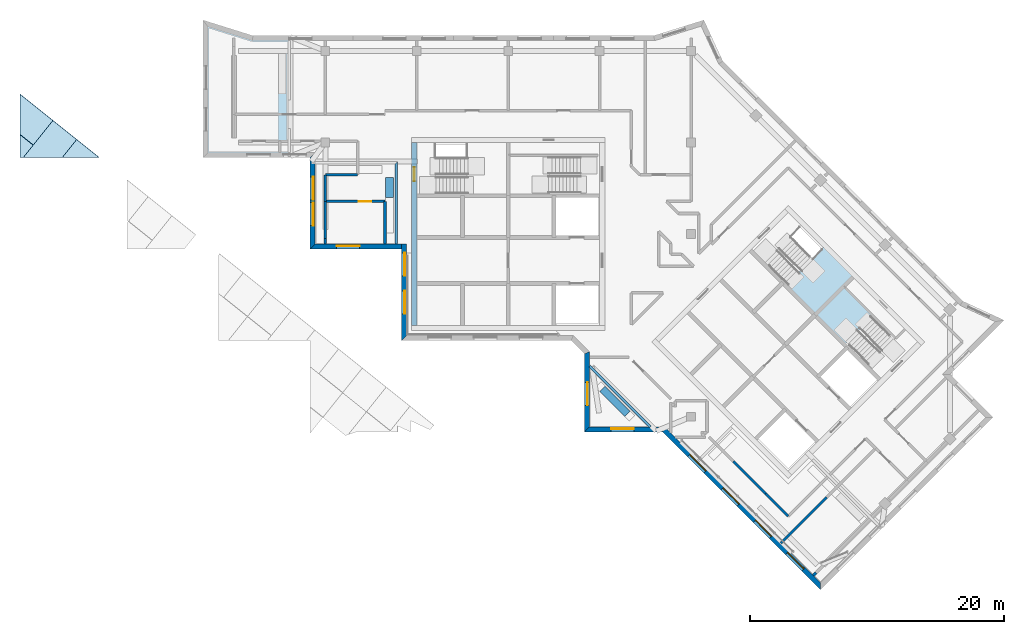
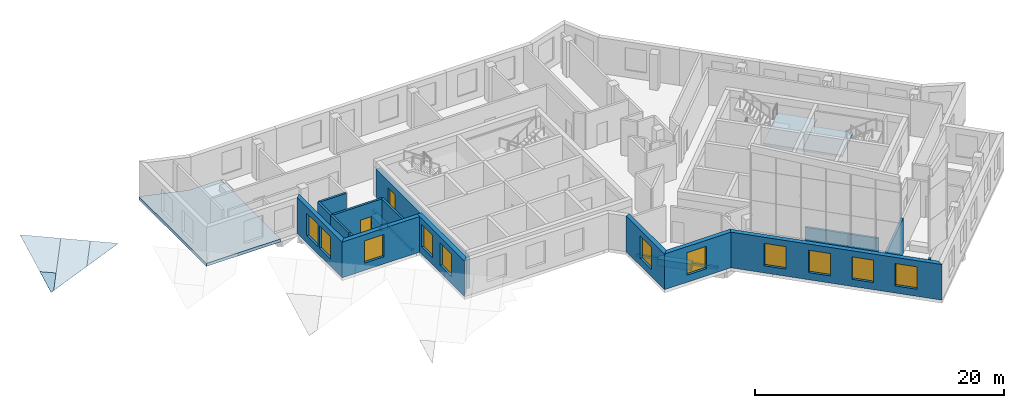
# One storey, part 6 of 13: 21 walls, 11 windows, 4 plates, 3 slabs, 2 doors, 13 openings, 2 elements without a shape of their own.
"""IFC4 building model written with IfcOpenShell, lengths in metres."""

import ifcopenshell
import ifcopenshell.guid

model = None  # the IFC model being written
_history = None  # IfcOwnerHistory: only IFC2X3 demands one
_inside = {}  # id of a spatial element -> (the spatial element, [elements in it])
_under = {}  # id of a project, library or spatial element -> (it, [spatial elements below it])
_declared = {}  # id of a project -> (the project, [libraries it declares])
_typed = {}  # id of a type object -> (the type object, [elements of that type])
_made_of = {}  # id of a material, layer set ... -> (it, [elements and type objects made of it])


def new_model(schema):
    """Start an empty IFC model of exactly this schema.

    Asked for "IFC4X3", IfcOpenShell would pick the latest addendum, in which some entities
    have other attributes; the version numbers below select the first issue.
    IFC2X3 requires an IfcOwnerHistory on every rooted entity: one is made here for all.
    """
    global model, _history
    if schema == "IFC4X3":
        model = ifcopenshell.file(schema_version=(4, 3, 0, 0))
    else:
        model = ifcopenshell.file(schema=schema)
    _inside.clear()
    _under.clear()
    _declared.clear()
    _typed.clear()
    _made_of.clear()
    _history = None
    if model.schema == "IFC2X3":
        org = make("IfcOrganization", Name="unknown")
        user = make(
            "IfcPersonAndOrganization",
            ThePerson=make("IfcPerson", FamilyName="unknown"),
            TheOrganization=org,
        )
        app = make(
            "IfcApplication",
            ApplicationDeveloper=org,
            Version="unknown",
            ApplicationFullName="unknown",
            ApplicationIdentifier="unknown",
        )
        _history = make(
            "IfcOwnerHistory",
            OwningUser=user,
            OwningApplication=app,
            ChangeAction="ADDED",
            CreationDate=0,
        )
    return model


def make(cls, **values):
    """One entity of the class cls with the attributes given. An attribute that is None is left unset."""
    return model.create_entity(
        cls, **{name: value for name, value in values.items() if value is not None}
    )


def rooted(cls, **values):
    """An entity with a GlobalId (a new one), such as an element, a storey or a relation."""
    return make(cls, GlobalId=ifcopenshell.guid.new(), OwnerHistory=_history, **values)


def si_unit(unit_type, name, prefix=None):
    """IfcSIUnit, for example si_unit("LENGTHUNIT", "METRE", prefix="MILLI")."""
    return make("IfcSIUnit", UnitType=unit_type, Prefix=prefix, Name=name)


def assignment(units):
    """IfcUnitAssignment: the units of a project."""
    return None if units is None else make("IfcUnitAssignment", Units=units)


def point(xyz):
    """IfcCartesianPoint."""
    return None if xyz is None else make("IfcCartesianPoint", Coordinates=xyz)


def direction(xyz):
    """IfcDirection."""
    return None if xyz is None else make("IfcDirection", DirectionRatios=xyz)


def frame(location, z_axis=None, x_axis=None):
    """IfcAxis2Placement3D, a coordinate frame: its origin and axes. An axis left out is left unset."""
    return make(
        "IfcAxis2Placement3D",
        Location=point(location),
        Axis=direction(z_axis),
        RefDirection=direction(x_axis),
    )


def frame_2d(location, x_axis=None):
    """IfcAxis2Placement2D, a coordinate frame in the plane: its origin and x axis."""
    return make(
        "IfcAxis2Placement2D", Location=point(location), RefDirection=direction(x_axis)
    )


def origin():
    """The frame at (0, 0, 0) with its axes left unset."""
    return frame((0.0, 0.0, 0.0))


def place(relative_to, where):
    """IfcLocalPlacement: puts the frame where relative to a parent placement (None: the world)."""
    return make(
        "IfcLocalPlacement", PlacementRelTo=relative_to, RelativePlacement=where
    )


def context(
    kind, dimensions, precision=None, world=None, true_north=None, identifier=None
):
    """IfcGeometricRepresentationContext, for example the 3D "Model" context."""
    return make(
        "IfcGeometricRepresentationContext",
        ContextIdentifier=identifier,
        ContextType=kind,
        CoordinateSpaceDimension=dimensions,
        Precision=precision,
        WorldCoordinateSystem=world,
        TrueNorth=true_north,
    )


def subcontext(parent, identifier, kind, view, scale=None):
    """IfcGeometricRepresentationSubContext, for example "Body" below "Model"."""
    return make(
        "IfcGeometricRepresentationSubContext",
        ContextIdentifier=identifier,
        ContextType=kind,
        ParentContext=parent,
        TargetScale=scale,
        TargetView=view,
    )


def project(units=None, contexts=None):
    """IfcProject with its units and contexts."""
    return rooted(
        "IfcProject",
        Name="project",
        RepresentationContexts=contexts,
        UnitsInContext=assignment(units),
    )


def spatial(cls, under=None, at=None, **own):
    """A site, building, storey or space (cls), placed at a placement, below another one or the project."""
    s = rooted(cls, ObjectPlacement=at, **own)
    if under is not None:
        _under.setdefault(under.id(), (under, []))[1].append(s)
    return s


def polyline(points):
    """IfcPolyline through the points."""
    return make("IfcPolyline", Points=[point(p) for p in points])


def profile(cls, at=None, kind="AREA", **sizes):
    """A parametric profile (cls). Its sizes go by their IFC names, for example OverallWidth=200.0."""
    return make(cls, ProfileType=kind, Position=at, **sizes)


def rectangle(**sizes):
    """IfcRectangleProfileDef."""
    return profile("IfcRectangleProfileDef", **sizes)


def outline(outer, holes=None, kind="AREA"):
    """IfcArbitraryClosedProfileDef: a profile drawn as a closed curve; with holes, ...WithVoids."""
    if holes is None:
        return make("IfcArbitraryClosedProfileDef", ProfileType=kind, OuterCurve=outer)
    return make(
        "IfcArbitraryProfileDefWithVoids",
        ProfileType=kind,
        OuterCurve=outer,
        InnerCurves=holes,
    )


def extrude(swept, where, along, depth):
    """IfcExtrudedAreaSolid: the profile swept, set in the frame where, extruded along a direction by depth."""
    return make(
        "IfcExtrudedAreaSolid",
        SweptArea=swept,
        Position=where,
        ExtrudedDirection=direction(along),
        Depth=depth,
    )


def shape(context_of_items, identifier, shape_type, items):
    """IfcShapeRepresentation: the items that make up one representation, for example the "Body"."""
    return make(
        "IfcShapeRepresentation",
        ContextOfItems=context_of_items,
        RepresentationIdentifier=identifier,
        RepresentationType=shape_type,
        Items=items,
    )


def material(Name=None, Category=None):
    """IfcMaterial."""
    return make("IfcMaterial", Name=Name, Category=Category)


def layer(
    of_material, thickness, ventilated=None, Name=None, Category=None, Priority=None
):
    """IfcMaterialLayer: one layer of a wall or slab, of a material (None: an air gap)."""
    return make(
        "IfcMaterialLayer",
        Material=of_material,
        LayerThickness=thickness,
        IsVentilated=ventilated,
        Name=Name,
        Category=Category,
        Priority=Priority,
    )


def layer_set(layers, Name=None):
    """IfcMaterialLayerSet."""
    return make("IfcMaterialLayerSet", MaterialLayers=layers, LayerSetName=Name)


def made_of(thing, what):
    """Note that an element or type object is made of a material, layer set ...; save() writes the relation."""
    if what is not None:
        _made_of.setdefault(what.id(), (what, []))[1].append(thing)
    return thing


def type_object(cls, material=None, **own):
    """A type object (cls), such as IfcWallType, which elements share."""
    return made_of(rooted(cls, **own), material)


def element(
    cls,
    number,
    at=None,
    inside=None,
    cuts=None,
    type_object=None,
    material=None,
    context=None,
    identifier="Body",
    shape_type=None,
    held_by="IfcProductDefinitionShape",
    body=None,
    shapes=None,
    **own,
):
    """One element of the class cls, such as IfcWall. Its Tag is "e" and its number.

    at: its placement. inside: the storey or other place that contains it. cuts: it is an
    opening in that element (IfcRelVoidsElement). A single representation is given by context,
    identifier, shape_type and body (its items); several are given by shapes. held_by: the class
    of the entity that holds the representations. save() writes the other relations.
    """
    e = rooted(cls, Tag="e%d" % number, ObjectPlacement=at, **own)
    if body is not None:
        shapes = [shape(context, identifier, shape_type, body)]
    if shapes is not None:
        e.Representation = make(held_by, Representations=shapes)
    if inside is not None:
        _inside.setdefault(inside.id(), (inside, []))[1].append(e)
    if cuts is not None:
        rooted(
            "IfcRelVoidsElement", RelatingBuildingElement=cuts, RelatedOpeningElement=e
        )
    if type_object is not None:
        _typed.setdefault(type_object.id(), (type_object, []))[1].append(e)
    return made_of(e, material)


def fill(opening, filler):
    """IfcRelFillsElement: the door or window that sits in an opening."""
    return rooted(
        "IfcRelFillsElement",
        RelatingOpeningElement=opening,
        RelatedBuildingElement=filler,
    )


def aggregate(whole, parts):
    """IfcRelAggregates: a whole, such as a stair, and the parts it consists of."""
    return rooted("IfcRelAggregates", RelatingObject=whole, RelatedObjects=parts)


def save(model, path):
    """Write the relations noted so far, then the file.

    IfcRelAggregates (storeys below a building ...), IfcRelContainedInSpatialStructure (elements
    in a storey), IfcRelDefinesByType, IfcRelAssociatesMaterial and IfcRelDeclares: one each for
    every whole, place, type object, material and project.
    """
    for whole, parts in _under.values():
        aggregate(whole, parts)
    for where, things in _inside.values():
        rooted(
            "IfcRelContainedInSpatialStructure",
            RelatedElements=things,
            RelatingStructure=where,
        )
    for kind, things in _typed.values():
        rooted("IfcRelDefinesByType", RelatedObjects=things, RelatingType=kind)
    for what, things in _made_of.values():
        rooted("IfcRelAssociatesMaterial", RelatedObjects=things, RelatingMaterial=what)
    for by, libraries in _declared.values():
        rooted("IfcRelDeclares", RelatingContext=by, RelatedDefinitions=libraries)
    model.write(path)


model = new_model("IFC4")

# Units and contexts
model_context = context("Model", 3, precision=1e-05, world=origin(), true_north=direction((0.0, 1.0)))
body_context = subcontext(model_context, "Body", "Model", "MODEL_VIEW")
ifc_project = project(units=[si_unit("LENGTHUNIT", "METRE"), si_unit("AREAUNIT", "SQUARE_METRE"), si_unit("VOLUMEUNIT", "CUBIC_METRE"), si_unit("PLANEANGLEUNIT", "RADIAN"), si_unit("MASSUNIT", "GRAM", prefix="KILO")], contexts=[model_context])

# Site, building, storey
site_placement = place(None, origin())
site = spatial("IfcSite", under=ifc_project, at=site_placement, CompositionType="ELEMENT")
building_placement = place(site_placement, origin())
building = spatial("IfcBuilding", under=site, at=building_placement, Name="Windrow Commons", CompositionType="ELEMENT")
storey_placement = place(building_placement, frame((0.0, 0.0, 294.4)))
storey = spatial("IfcBuildingStorey", under=building, at=storey_placement, Name="L80", CompositionType="ELEMENT", Elevation=294.4)

# Stair, slab
ifc_material_1 = material(Name="Concrete C40/50", Category="concrete")
stair_type = type_object("IfcStairType", Name="Core stair", PredefinedType="HALF_TURN_STAIR", material=ifc_material_1)
placement_1 = place(storey_placement, origin())
stair_1 = element("IfcStair", 1, at=placement_1, inside=storey, type_object=stair_type, Name="L80 Exit stair B1 core B", PredefinedType="HALF_TURN_STAIR")
ifc_material_2 = material(Name="Concrete C40/50", Category="concrete")
ifc_layer_1 = layer(ifc_material_2, 0.2)
ifc_layer_set_1 = layer_set([ifc_layer_1], Name="Core stair landing")
slab_type_1 = type_object("IfcSlabType", Name="Core stair landing", PredefinedType="LANDING", material=ifc_layer_set_1)
placement_2 = place(storey_placement, frame((0.0, 0.0, 1.7)))
slab_1 = element("IfcSlab", 2, at=placement_2, type_object=slab_type_1, Name="ST-B1 landing 1", PredefinedType="LANDING", context=body_context, shape_type="SweptSolid", body=[
    extrude(outline(polyline([(86.5539, 53.4738), (88.8874, 51.1403), (91.9986, 54.2516), (89.6652, 56.5851), (86.5539, 53.4738)])), origin(), (0.0, 0.0, 1.0), 0.2),
])
aggregate(stair_1, [slab_1])

stair_2 = element("IfcStair", 3, at=placement_1, inside=storey, type_object=stair_type, Name="L80 Exit stair B2 core B", PredefinedType="HALF_TURN_STAIR")
slab_2 = element("IfcSlab", 4, at=placement_2, type_object=slab_type_1, Name="ST-B2 landing 1", PredefinedType="LANDING", context=body_context, shape_type="SweptSolid", body=[
    extrude(outline(polyline([(88.8874, 51.1403), (91.2208, 48.8069), (93.5931, 51.1792), (91.2597, 53.5127), (88.8874, 51.1403)])), origin(), (0.0, 0.0, 1.0), 0.2),
])
aggregate(stair_2, [slab_2])

# Plates
ifc_material_3 = material(Name="Laminated glass in aluminium frame", Category="aluminium")
ifc_layer_2 = layer(ifc_material_3, 0.04)
ifc_layer_set_2 = layer_set([ifc_layer_2], Name="Crown glazing panel 2400x3000")
plate_type = type_object("IfcPlateType", Name="Crown glazing panel 2400x3000", PredefinedType="SHEET", material=ifc_layer_set_2)
plate_1_placement = place(storey_placement, frame((26.367, 63.6, 2.203), z_axis=(-0.3493716495, -0.4366507271, 0.829020864), x_axis=(1.20378e-05, 0.8847735917, 0.4660211276)))
element("IfcPlate", 5, at=plate_1_placement, inside=storey, type_object=plate_type, Name="Crown glazing 7", PredefinedType="SHEET", context=body_context, shape_type="SweptSolid", body=[
    extrude(outline(polyline([(0.0, 0.0), (2.0384, 0.0), (1.3071, -1.1028), (0.0495, -0.2688), (0.0, 0.0)])), origin(), (0.0, 0.0, -1.0), 0.04),
])
plate_2_placement = place(storey_placement, frame((29.6923, 63.6, 3.6042), z_axis=(-0.3493196434, -0.436643403, 0.8290466364), x_axis=(0.5179124496, 0.6473677625, 0.5591794655)))
element("IfcPlate", 6, at=plate_2_placement, inside=storey, type_object=plate_type, Name="Crown glazing 19", PredefinedType="SHEET", context=body_context, shape_type="SweptSolid", body=[
    extrude(outline(polyline([(0.0, 0.0), (2.193, 0.0), (2.1931, -2.2726), (0.0, 0.0)])), origin(), (0.0, 0.0, -1.0), 0.04),
])
plate_3_placement = place(storey_placement, frame((26.6188, 63.6, 2.3092), z_axis=(-0.3493161694, -0.4366433244, 0.8290481416), x_axis=(0.5179022682, 0.6473778353, 0.5591772339)))
element("IfcPlate", 7, at=plate_3_placement, inside=storey, type_object=plate_type, Name="Crown glazing 337", PredefinedType="SHEET", context=body_context, shape_type="SweptSolid", body=[
    extrude(outline(polyline([(0.0, 0.0), (4.509, 0.0), (4.5089, -2.4), (2.3159, -2.4), (0.0, 0.0)])), origin(), (0.0, 0.0, -1.0), 0.04),
])
plate_4_placement = place(storey_placement, frame((27.4003, 64.5769, 3.153), z_axis=(-0.3493085512, -0.4366417195, 0.8290521967), x_axis=(-0.7808802604, 0.6246807336, -7.8195e-06)))
element("IfcPlate", 8, at=plate_4_placement, inside=storey, type_object=plate_type, Name="Crown glazing 339", PredefinedType="SHEET", context=body_context, shape_type="SweptSolid", body=[
    extrude(outline(polyline([(0.0, 0.0), (1.3232, 0.0), (3.3129, -3.0), (-0.0001, -3.0), (0.0, 0.0)])), origin(), (0.0, 0.0, -1.0), 0.04),
])

# Slab
ifc_material_4 = material(Name="Concrete C40/50", Category="concrete")
ifc_layer_3 = layer(ifc_material_4, 0.3)
ifc_layer_set_3 = layer_set([ifc_layer_3], Name="TERRACE SLAB 300 C40/50")
slab_type_2 = type_object("IfcSlabType", Name="TERRACE SLAB 300 C40/50", PredefinedType="FLOOR", material=ifc_layer_set_3)
slab_3_placement = place(storey_placement, frame((0.0, 0.0, -0.3)))
element("IfcSlab", 9, at=slab_3_placement, inside=storey, type_object=slab_type_2, Name="Terrace slab TR-L80-1", PredefinedType="FLOOR", context=body_context, shape_type="SweptSolid", body=[
    extrude(outline(polyline([(40.767, 74.433), (40.767, 63.6), (47.667, 63.6), (47.667, 73.2), (44.7107, 73.2), (40.767, 74.433)])), origin(), (0.0, 0.0, 1.0), 0.3),
])

# Wall, opening, door
ifc_material_5 = material(Name="Blockwork partition", Category="masonry")
ifc_layer_4 = layer(ifc_material_5, 0.2)
ifc_layer_set_4 = layer_set([ifc_layer_4], Name="IW-CORRIDOR-200")
wall_type_1 = type_object("IfcWallType", Name="IW-CORRIDOR-200", PredefinedType="PARTITIONING", material=ifc_layer_set_4)
wall_1_placement = place(storey_placement, frame((50.4, 60.15, 0.0), z_axis=(0.0, 0.0, 1.0), x_axis=(1.0, 0.0, 0.0)))
wall_1 = element("IfcWall", 10, at=wall_1_placement, inside=storey, type_object=wall_type_1, Name="W-L80-W016", PredefinedType="PARTITIONING", context=body_context, shape_type="SweptSolid", body=[
    extrude(rectangle(XDim=4.7, YDim=0.2, at=frame_2d((2.35, 0.0))), origin(), (0.0, 0.0, 1.0), 3.5),
])
opening_1_placement = place(wall_1_placement, frame((2.635, 0.0, 0.0)))
opening_1 = element("IfcOpeningElement", 11, at=opening_1_placement, cuts=wall_1, Name="Opening D410F", PredefinedType="OPENING", context=body_context, shape_type="SweptSolid", body=[
    extrude(rectangle(XDim=1.0, YDim=2.1, at=frame_2d((0.5, 1.05))), frame((0.0, 0.11, 0.0), z_axis=(0.0, -1.0, 0.0), x_axis=(1.0, 0.0, 0.0)), (0.0, 0.0, 1.0), 0.22),
])
ifc_material_6 = material(Name="Timber door leaf", Category="wood")
door_type_1 = type_object("IfcDoorType", Name="DT-SERVICE-1000", OperationType="SINGLE_SWING_LEFT", PredefinedType="DOOR", material=ifc_material_6)
door_1_placement = place(opening_1_placement, origin())
door_1 = element("IfcDoor", 12, at=door_1_placement, inside=storey, type_object=door_type_1, Name="D-L80-D005", OperationType="SINGLE_SWING_LEFT", OverallHeight=2.1, OverallWidth=1.0, PredefinedType="DOOR", context=body_context, shape_type="SweptSolid", body=[
    extrude(rectangle(XDim=1.0, YDim=2.1, at=frame_2d((0.5, 1.05))), frame((0.0, 0.025, 0.0), z_axis=(0.0, -1.0, 0.0), x_axis=(1.0, 0.0, 0.0)), (0.0, 0.0, 1.0), 0.05),
])
fill(opening_1, door_1)

# Walls
wall_2_placement = place(storey_placement, frame((55.1, 56.8, 0.0), z_axis=(0.0, 0.0, 1.0), x_axis=(0.0, 1.0, 0.0)))
element("IfcWall", 13, at=wall_2_placement, inside=storey, type_object=wall_type_1, Name="W-L80-W025", PredefinedType="PARTITIONING", context=body_context, shape_type="SweptSolid", body=[
    extrude(rectangle(XDim=3.35, YDim=0.2, at=frame_2d((1.675, 0.0))), origin(), (0.0, 0.0, 1.0), 3.5),
])
wall_3_placement = place(storey_placement, frame((82.5258, 39.6878, 0.0), z_axis=(0.0, 0.0, 1.0), x_axis=(0.7068288851, -0.7073845681, 0.0)))
element("IfcWall", 14, at=wall_3_placement, inside=storey, type_object=wall_type_1, Name="W-L80-W028", PredefinedType="PARTITIONING", context=body_context, shape_type="SweptSolid", body=[
    extrude(rectangle(XDim=3.5992, YDim=0.2, at=frame_2d((1.7996, 0.0))), origin(), (0.0, 0.0, 1.0), 3.5),
])
wall_4_placement = place(storey_placement, frame((50.4, 62.25, 0.0), z_axis=(0.0, 0.0, 1.0), x_axis=(1.0, 0.0, 0.0)))
element("IfcWall", 15, at=wall_4_placement, inside=storey, type_object=wall_type_1, Name="W-L80-W039", PredefinedType="PARTITIONING", context=body_context, shape_type="SweptSolid", body=[
    extrude(rectangle(XDim=2.55, YDim=0.2, at=frame_2d((1.275, 0.0))), origin(), (0.0, 0.0, 1.0), 3.5),
])
wall_5_placement = place(storey_placement, frame((85.0651, 37.1371, 0.0), z_axis=(0.0, 0.0, 1.0), x_axis=(0.7071067812, -0.7071067812, 0.0)))
element("IfcWall", 16, at=wall_5_placement, inside=storey, type_object=wall_type_1, Name="W-L80-W040", PredefinedType="PARTITIONING", context=body_context, shape_type="SweptSolid", body=[
    extrude(rectangle(XDim=2.5003, YDim=0.2, at=frame_2d((1.2502, 0.0))), origin(), (0.0, 0.0, 1.0), 3.5),
])
wall_6_placement = place(storey_placement, frame((50.4, 60.15, 0.0), z_axis=(0.0, 0.0, 1.0), x_axis=(0.0, 1.0, 0.0)))
element("IfcWall", 17, at=wall_6_placement, inside=storey, type_object=wall_type_1, Name="W-L80-W050", PredefinedType="PARTITIONING", context=body_context, shape_type="SweptSolid", body=[
    extrude(rectangle(XDim=2.1, YDim=0.2, at=frame_2d((1.05, 0.0))), origin(), (0.0, 0.0, 1.0), 3.5),
])
ifc_material_7 = material(Name="Blockwork partition", Category="masonry")
ifc_layer_5 = layer(ifc_material_7, 0.2)
ifc_layer_set_5 = layer_set([ifc_layer_5], Name="IW-PARTY-200")
wall_type_2 = type_object("IfcWallType", Name="IW-PARTY-200", PredefinedType="PARTITIONING", material=ifc_layer_set_5)
wall_7_placement = place(storey_placement, frame((50.4, 57.25, 0.0), z_axis=(0.0, 0.0, 1.0), x_axis=(0.0, 1.0, 0.0)))
element("IfcWall", 18, at=wall_7_placement, inside=storey, type_object=wall_type_2, Name="W-L80-W048", PredefinedType="PARTITIONING", context=body_context, shape_type="SweptSolid", body=[
    extrude(rectangle(XDim=2.9, YDim=0.2, at=frame_2d((1.45, 0.0))), origin(), (0.0, 0.0, 1.0), 3.5),
])
wall_8_placement = place(storey_placement, frame((86.2718, 33.2498, 0.0), z_axis=(0.0, 0.0, 1.0), x_axis=(0.7073028348, 0.7069106732, 0.0)))
element("IfcWall", 19, at=wall_8_placement, inside=storey, type_object=wall_type_2, Name="W-L80-W014", PredefinedType="PARTITIONING", context=body_context, shape_type="SweptSolid", body=[
    extrude(outline(polyline([(0.0, -0.1), (5.0999, -0.1), (5.0999, 0.1), (0.0, 0.1), (0.0, -0.1)])), origin(), (0.0, 0.0, 1.0), 3.5),
])
wall_9_placement = place(storey_placement, frame((50.4, 56.8, 0.0), z_axis=(0.0, 0.0, 1.0), x_axis=(0.0, 1.0, 0.0)))
element("IfcWall", 20, at=wall_9_placement, inside=storey, type_object=wall_type_2, Name="W-L80-W067", PredefinedType="PARTITIONING", context=body_context, shape_type="SweptSolid", body=[
    extrude(outline(polyline([(0.0, -0.1), (0.45, -0.1), (0.45, 0.1), (0.0, 0.1), (0.0, -0.1)])), origin(), (0.0, 0.0, 1.0), 3.5),
])
wall_10_placement = place(storey_placement, frame((88.8158, 30.7058, 0.0), z_axis=(0.0, 0.0, 1.0), x_axis=(0.7071067812, 0.7071067812, 0.0)))
element("IfcWall", 21, at=wall_10_placement, inside=storey, type_object=wall_type_2, Name="W-L80-W080", PredefinedType="PARTITIONING", context=body_context, shape_type="SweptSolid", body=[
    extrude(outline(polyline([(0.0, -0.1), (0.3043, -0.1), (0.3043, 0.1), (0.0, 0.1), (0.0, -0.1)])), origin(), (0.0, 0.0, 1.0), 3.5),
])
ifc_material_8 = material(Name="Concrete C30/37 planter wall", Category="concrete")
ifc_layer_6 = layer(ifc_material_8, 0.6)
ifc_layer_set_6 = layer_set([ifc_layer_6], Name="Planter 600x450")
wall_type_3 = type_object("IfcWallType", Name="Planter 600x450", PredefinedType="SOLIDWALL", material=ifc_layer_set_6)
wall_11_placement = place(storey_placement, frame((55.45, 60.47, 0.0), z_axis=(0.0, 0.0, 1.0), x_axis=(0.0, 1.0, 0.0)))
element("IfcWall", 22, at=wall_11_placement, inside=storey, type_object=wall_type_3, Name="PLANTER TR-L80-2.1", PredefinedType="SOLIDWALL", context=body_context, shape_type="SweptSolid", body=[
    extrude(rectangle(XDim=1.58, YDim=0.6, at=frame_2d((0.79, 0.0))), origin(), (0.0, 0.0, 1.0), 0.65),
])
wall_12_placement = place(storey_placement, frame((74.1924, 43.42, 0.0), z_axis=(0.0, 0.0, 1.0), x_axis=(-0.7071067812, 0.7071067812, 0.0)))
element("IfcWall", 23, at=wall_12_placement, inside=storey, type_object=wall_type_3, Name="PLANTER TR-L80-4.1", PredefinedType="SOLIDWALL", context=body_context, shape_type="SweptSolid", body=[
    extrude(outline(polyline([(0.0, -0.3), (2.7894, -0.3), (2.7894, 0.3), (0.0, 0.3), (0.0, -0.3)])), origin(), (0.0, 0.0, 1.0), 0.65),
])

# Wall, opening, door
ifc_material_9 = material(Name="Concrete C40/50", Category="concrete")
ifc_layer_7 = layer(ifc_material_9, 0.4)
ifc_layer_set_7 = layer_set([ifc_layer_7], Name="RC CORE WALL 400 C40/50")
wall_type_4 = type_object("IfcWallType", Name="RC CORE WALL 400 C40/50", PredefinedType="SHEAR", material=ifc_layer_set_7)
wall_13_placement = place(storey_placement, frame((57.4, 50.4, -0.3), z_axis=(0.0, 0.0, 1.0), x_axis=(0.0, 1.0, 0.0)))
wall_13 = element("IfcWall", 24, at=wall_13_placement, inside=storey, type_object=wall_type_4, Name="Core A wall outer-W", PredefinedType="SHEAR", context=body_context, shape_type="SweptSolid", body=[
    extrude(outline(polyline([(0.0, 0.0), (14.4, 0.0), (14.4, 3.1), (0.0, 3.1), (0.0, 0.0)])), frame((0.0, 0.2, 0.0), z_axis=(0.0, -1.0, 0.0), x_axis=(1.0, 0.0, 0.0)), (0.0, 0.0, 1.0), 0.4),
])
opening_2_placement = place(wall_13_placement, frame((11.35, 0.0, 0.3)))
opening_2 = element("IfcOpeningElement", 25, at=opening_2_placement, cuts=wall_13, Name="Opening D7", PredefinedType="OPENING", context=body_context, shape_type="SweptSolid", body=[
    extrude(rectangle(XDim=1.1, YDim=2.1, at=frame_2d((0.55, 1.05))), frame((0.0, 0.21, 0.0), z_axis=(0.0, -1.0, 0.0), x_axis=(1.0, 0.0, 0.0)), (0.0, 0.0, 1.0), 0.42),
])
ifc_material_10 = material(Name="Steel fire door leaf", Category="steel")
door_type_2 = type_object("IfcDoorType", Name="Stair door 1100", OperationType="SINGLE_SWING_LEFT", PredefinedType="DOOR", material=ifc_material_10)
door_2_placement = place(opening_2_placement, origin())
door_2 = element("IfcDoor", 26, at=door_2_placement, inside=storey, type_object=door_type_2, Name="Stair door", OperationType="SINGLE_SWING_LEFT", OverallHeight=2.1, OverallWidth=1.1, PredefinedType="DOOR", context=body_context, shape_type="SweptSolid", body=[
    extrude(rectangle(XDim=1.1, YDim=2.1, at=frame_2d((0.55, 1.05))), frame((0.0, 0.025, 0.0), z_axis=(0.0, -1.0, 0.0), x_axis=(1.0, 0.0, 0.0)), (0.0, 0.0, 1.0), 0.05),
])
fill(opening_2, door_2)

# Walls
ifc_material_11 = material(Name="Brick masonry, red clay brick", Category="masonry")
ifc_layer_8 = layer(ifc_material_11, 0.2)
ifc_layer_set_8 = layer_set([ifc_layer_8], Name="Terrace edge parapet 200")
wall_type_5 = type_object("IfcWallType", Name="Terrace edge parapet 200", PredefinedType="PARAPET", material=ifc_layer_set_8)
wall_14_placement = place(storey_placement, frame((56.0, 56.8, 0.0), z_axis=(0.0, 0.0, 1.0), x_axis=(0.0, 1.0, 0.0)))
element("IfcWall", 27, at=wall_14_placement, inside=storey, type_object=wall_type_5, Name="Terrace parapet TR-L80-2.1.1", PredefinedType="PARAPET", context=body_context, shape_type="SweptSolid", body=[
    extrude(outline(polyline([(0.0, -0.1), (6.5, -0.1), (6.3, 0.1), (0.0, 0.1), (0.0, -0.1)])), origin(), (0.0, 0.0, 1.0), 0.25),
])
wall_15_placement = place(storey_placement, frame((75.9902, 42.4, 0.0), z_axis=(0.0, 0.0, 1.0), x_axis=(-0.7071067812, 0.7071067812, 0.0)))
element("IfcWall", 28, at=wall_15_placement, inside=storey, type_object=wall_type_5, Name="Terrace parapet TR-L80-4.1.1", PredefinedType="PARAPET", context=body_context, shape_type="SweptSolid", body=[
    extrude(outline(polyline([(0.0, -0.1), (6.7744, -0.1), (6.7744, 0.1), (0.0, 0.1), (0.0, -0.1)])), origin(), (0.0, 0.0, 1.0), 0.25),
])

# Wall, openings, windows
ifc_material_12 = material(Name="Standing seam zinc cladding on insulated masonry backing", Category="masonry")
ifc_layer_9 = layer(ifc_material_12, 0.4)
ifc_layer_set_9 = layer_set([ifc_layer_9], Name="Zinc clad crown wall 400")
wall_type_6 = type_object("IfcWallType", Name="Zinc clad crown wall 400", PredefinedType="SOLIDWALL", material=ifc_layer_set_9)
wall_16_placement = place(storey_placement, frame((49.4, 63.8, 0.0), z_axis=(0.0, 0.0, 1.0), x_axis=(0.0, -1.0, 0.0)))
wall_16 = element("IfcWall", 29, at=wall_16_placement, inside=storey, type_object=wall_type_6, Name="Brick facade wall L80 18", PredefinedType="SOLIDWALL", context=body_context, shape_type="SweptSolid", body=[
    extrude(outline(polyline([(0.2, -0.2), (7.4, -0.2), (7.0, 0.2), (-0.2, 0.2), (0.2, -0.2)])), origin(), (0.0, 0.0, 1.0), 3.5),
])
opening_3_placement = place(wall_16_placement, frame((3.75, 0.0, 0.7)))
opening_3 = element("IfcOpeningElement", 30, at=opening_3_placement, cuts=wall_16, Name="Opening W6", PredefinedType="OPENING", context=body_context, shape_type="SweptSolid", body=[
    extrude(rectangle(XDim=1.8, YDim=2.2, at=frame_2d((0.9, 1.1))), frame((0.0, 0.21, 0.0), z_axis=(0.0, -1.0, 0.0), x_axis=(1.0, 0.0, 0.0)), (0.0, 0.0, 1.0), 0.42),
])
opening_4_placement = place(wall_16_placement, frame((1.725, 0.0, 0.7)))
opening_4 = element("IfcOpeningElement", 31, at=opening_4_placement, cuts=wall_16, Name="Opening W6", PredefinedType="OPENING", context=body_context, shape_type="SweptSolid", body=[
    extrude(rectangle(XDim=1.8, YDim=2.2, at=frame_2d((0.9, 1.1))), frame((0.0, 0.21, 0.0), z_axis=(0.0, -1.0, 0.0), x_axis=(1.0, 0.0, 0.0)), (0.0, 0.0, 1.0), 0.42),
])
ifc_material_13 = material(Name="Clear float glass in anodised aluminium frame", Category="aluminium")
window_type = type_object("IfcWindowType", Name="Window W6 crown 1800x2200", PartitioningType="SINGLE_PANEL", PredefinedType="WINDOW", material=ifc_material_13)
window_1_placement = place(opening_3_placement, origin())
window_1 = element("IfcWindow", 32, at=window_1_placement, inside=storey, type_object=window_type, Name="Window L80 18.2", OverallHeight=2.2, OverallWidth=1.8, PartitioningType="SINGLE_PANEL", PredefinedType="WINDOW", context=body_context, shape_type="SweptSolid", body=[
    extrude(rectangle(XDim=1.8, YDim=2.2, at=frame_2d((0.9, 1.1))), frame((0.0, 0.08, 0.0), z_axis=(0.0, -1.0, 0.0), x_axis=(1.0, 0.0, 0.0)), (0.0, 0.0, 1.0), 0.06),
])
fill(opening_3, window_1)
window_2_placement = place(opening_4_placement, origin())
window_2 = element("IfcWindow", 33, at=window_2_placement, inside=storey, type_object=window_type, Name="Window L80 18.1A", OverallHeight=2.2, OverallWidth=1.8, PartitioningType="SINGLE_PANEL", PredefinedType="WINDOW", context=body_context, shape_type="SweptSolid", body=[
    extrude(rectangle(XDim=1.8, YDim=2.2, at=frame_2d((0.9, 1.1))), frame((0.0, 0.08, 0.0), z_axis=(0.0, -1.0, 0.0), x_axis=(1.0, 0.0, 0.0)), (0.0, 0.0, 1.0), 0.06),
])
fill(opening_4, window_2)

# Wall, opening, window
wall_17_placement = place(storey_placement, frame((49.4, 56.6, 0.0), z_axis=(0.0, 0.0, 1.0), x_axis=(1.0, 0.0, 0.0)))
wall_17 = element("IfcWall", 34, at=wall_17_placement, inside=storey, type_object=wall_type_6, Name="Brick facade wall L80 19", PredefinedType="SOLIDWALL", context=body_context, shape_type="SweptSolid", body=[
    extrude(outline(polyline([(-0.2, -0.2), (7.0, -0.2), (7.0, 0.2), (0.2, 0.2), (-0.2, -0.2)])), origin(), (0.0, 0.0, 1.0), 3.5),
])
opening_5_placement = place(wall_17_placement, frame((1.9, 0.0, 0.7)))
opening_5 = element("IfcOpeningElement", 35, at=opening_5_placement, cuts=wall_17, Name="Opening W6", PredefinedType="OPENING", context=body_context, shape_type="SweptSolid", body=[
    extrude(rectangle(XDim=1.8, YDim=2.2, at=frame_2d((0.9, 1.1))), frame((0.0, 0.21, 0.0), z_axis=(0.0, -1.0, 0.0), x_axis=(1.0, 0.0, 0.0)), (0.0, 0.0, 1.0), 0.42),
])
window_3_placement = place(opening_5_placement, origin())
window_3 = element("IfcWindow", 36, at=window_3_placement, inside=storey, type_object=window_type, Name="Window L80 19.1", OverallHeight=2.2, OverallWidth=1.8, PartitioningType="SINGLE_PANEL", PredefinedType="WINDOW", context=body_context, shape_type="SweptSolid", body=[
    extrude(rectangle(XDim=1.8, YDim=2.2, at=frame_2d((0.9, 1.1))), frame((0.0, 0.08, 0.0), z_axis=(0.0, -1.0, 0.0), x_axis=(1.0, 0.0, 0.0)), (0.0, 0.0, 1.0), 0.06),
])
fill(opening_5, window_3)

# Wall, openings, windows
wall_18_placement = place(storey_placement, frame((56.6, 56.6, 0.0), z_axis=(0.0, 0.0, 1.0), x_axis=(0.0, -1.0, 0.0)))
wall_18 = element("IfcWall", 37, at=wall_18_placement, inside=storey, type_object=wall_type_6, Name="Brick facade wall L80 20", PredefinedType="SOLIDWALL", context=body_context, shape_type="SweptSolid", body=[
    extrude(outline(polyline([(-0.2, -0.2), (7.4, -0.2), (7.0, 0.2), (-0.2, 0.2), (-0.2, -0.2)])), origin(), (0.0, 0.0, 1.0), 3.5),
])
opening_6_placement = place(wall_18_placement, frame((0.5, 0.0, 0.7)))
opening_6 = element("IfcOpeningElement", 38, at=opening_6_placement, cuts=wall_18, Name="Opening W6", PredefinedType="OPENING", context=body_context, shape_type="SweptSolid", body=[
    extrude(rectangle(XDim=1.8, YDim=2.2, at=frame_2d((0.9, 1.1))), frame((0.0, 0.21, 0.0), z_axis=(0.0, -1.0, 0.0), x_axis=(1.0, 0.0, 0.0)), (0.0, 0.0, 1.0), 0.42),
])
opening_7_placement = place(wall_18_placement, frame((3.5, 0.0, 0.7)))
opening_7 = element("IfcOpeningElement", 39, at=opening_7_placement, cuts=wall_18, Name="Opening W6", PredefinedType="OPENING", context=body_context, shape_type="SweptSolid", body=[
    extrude(rectangle(XDim=1.8, YDim=2.2, at=frame_2d((0.9, 1.1))), frame((0.0, 0.21, 0.0), z_axis=(0.0, -1.0, 0.0), x_axis=(1.0, 0.0, 0.0)), (0.0, 0.0, 1.0), 0.42),
])
window_4_placement = place(opening_6_placement, origin())
window_4 = element("IfcWindow", 40, at=window_4_placement, inside=storey, type_object=window_type, Name="Window L80 20.1", OverallHeight=2.2, OverallWidth=1.8, PartitioningType="SINGLE_PANEL", PredefinedType="WINDOW", context=body_context, shape_type="SweptSolid", body=[
    extrude(rectangle(XDim=1.8, YDim=2.2, at=frame_2d((0.9, 1.1))), frame((0.0, 0.08, 0.0), z_axis=(0.0, -1.0, 0.0), x_axis=(1.0, 0.0, 0.0)), (0.0, 0.0, 1.0), 0.06),
])
fill(opening_6, window_4)
window_5_placement = place(opening_7_placement, origin())
window_5 = element("IfcWindow", 41, at=window_5_placement, inside=storey, type_object=window_type, Name="Window L80 20.2", OverallHeight=2.2, OverallWidth=1.8, PartitioningType="SINGLE_PANEL", PredefinedType="WINDOW", context=body_context, shape_type="SweptSolid", body=[
    extrude(rectangle(XDim=1.8, YDim=2.2, at=frame_2d((0.9, 1.1))), frame((0.0, 0.08, 0.0), z_axis=(0.0, -1.0, 0.0), x_axis=(1.0, 0.0, 0.0)), (0.0, 0.0, 1.0), 0.06),
])
fill(opening_7, window_5)

# Wall, opening, window
wall_19_placement = place(storey_placement, frame((71.0, 48.2387, 0.0), z_axis=(0.0, 0.0, 1.0), x_axis=(0.0, -1.0, 0.0)))
wall_19 = element("IfcWall", 42, at=wall_19_placement, inside=storey, type_object=wall_type_6, Name="Brick facade wall L80 23", PredefinedType="SOLIDWALL", context=body_context, shape_type="SweptSolid", body=[
    extrude(outline(polyline([(0.0828, -0.2), (6.2387, -0.2), (5.8387, 0.2), (-0.0828, 0.2), (0.0828, -0.2)])), origin(), (0.0, 0.0, 1.0), 3.5),
])
opening_8_placement = place(wall_19_placement, frame((2.3387, 0.0, 0.7)))
opening_8 = element("IfcOpeningElement", 43, at=opening_8_placement, cuts=wall_19, Name="Opening W6", PredefinedType="OPENING", context=body_context, shape_type="SweptSolid", body=[
    extrude(rectangle(XDim=1.8, YDim=2.2, at=frame_2d((0.9, 1.1))), frame((0.0, 0.21, 0.0), z_axis=(0.0, -1.0, 0.0), x_axis=(1.0, 0.0, 0.0)), (0.0, 0.0, 1.0), 0.42),
])
window_6_placement = place(opening_8_placement, origin())
window_6 = element("IfcWindow", 44, at=window_6_placement, inside=storey, type_object=window_type, Name="Window L80 23.1", OverallHeight=2.2, OverallWidth=1.8, PartitioningType="SINGLE_PANEL", PredefinedType="WINDOW", context=body_context, shape_type="SweptSolid", body=[
    extrude(rectangle(XDim=1.8, YDim=2.2, at=frame_2d((0.9, 1.1))), frame((0.0, 0.08, 0.0), z_axis=(0.0, -1.0, 0.0), x_axis=(1.0, 0.0, 0.0)), (0.0, 0.0, 1.0), 0.06),
])
fill(opening_8, window_6)

wall_20_placement = place(storey_placement, frame((71.0, 42.2, 0.0), z_axis=(0.0, 0.0, 1.0), x_axis=(1.0, 0.0, 0.0)))
wall_20 = element("IfcWall", 45, at=wall_20_placement, inside=storey, type_object=wall_type_6, Name="Brick facade wall L80 24", PredefinedType="SOLIDWALL", context=body_context, shape_type="SweptSolid", body=[
    extrude(outline(polyline([(-0.2, -0.2), (5.9559, -0.2), (6.1216, 0.2), (0.2, 0.2), (-0.2, -0.2)])), origin(), (0.0, 0.0, 1.0), 3.5),
])
opening_9_placement = place(wall_20_placement, frame((1.9, 0.0, 0.7)))
opening_9 = element("IfcOpeningElement", 46, at=opening_9_placement, cuts=wall_20, Name="Opening W6", PredefinedType="OPENING", context=body_context, shape_type="SweptSolid", body=[
    extrude(rectangle(XDim=1.8, YDim=2.2, at=frame_2d((0.9, 1.1))), frame((0.0, 0.21, 0.0), z_axis=(0.0, -1.0, 0.0), x_axis=(1.0, 0.0, 0.0)), (0.0, 0.0, 1.0), 0.42),
])
window_7_placement = place(opening_9_placement, origin())
window_7 = element("IfcWindow", 47, at=window_7_placement, inside=storey, type_object=window_type, Name="Window L80 24.1", OverallHeight=2.2, OverallWidth=1.8, PartitioningType="SINGLE_PANEL", PredefinedType="WINDOW", context=body_context, shape_type="SweptSolid", body=[
    extrude(rectangle(XDim=1.8, YDim=2.2, at=frame_2d((0.9, 1.1))), frame((0.0, 0.08, 0.0), z_axis=(0.0, -1.0, 0.0), x_axis=(1.0, 0.0, 0.0)), (0.0, 0.0, 1.0), 0.06),
])
fill(opening_9, window_7)

# Wall, openings, windows
wall_21_placement = place(storey_placement, frame((77.0387, 42.2, 0.0), z_axis=(0.0, 0.0, 1.0), x_axis=(0.7071067812, -0.7071067812, 0.0)))
wall_21 = element("IfcWall", 48, at=wall_21_placement, inside=storey, type_object=wall_type_6, Name="Brick facade wall L80 25", PredefinedType="SOLIDWALL", context=body_context, shape_type="SweptSolid", body=[
    extrude(outline(polyline([(0.0828, -0.2), (17.6564, -0.2), (17.2564, 0.2), (-0.0828, 0.2), (0.0828, -0.2)])), origin(), (0.0, 0.0, 1.0), 3.5),
])
opening_10_placement = place(wall_21_placement, frame((2.8565, 0.0, 0.7)))
opening_10 = element("IfcOpeningElement", 49, at=opening_10_placement, cuts=wall_21, Name="Opening W6", PredefinedType="OPENING", context=body_context, shape_type="SweptSolid", body=[
    extrude(rectangle(XDim=1.8, YDim=2.2, at=frame_2d((0.9, 1.1))), frame((0.0, 0.21, 0.0), z_axis=(0.0, -1.0, 0.0), x_axis=(1.0, 0.0, 0.0)), (0.0, 0.0, 1.0), 0.42),
])
opening_11_placement = place(wall_21_placement, frame((6.5565, 0.0, 0.7)))
opening_11 = element("IfcOpeningElement", 50, at=opening_11_placement, cuts=wall_21, Name="Opening W6", PredefinedType="OPENING", context=body_context, shape_type="SweptSolid", body=[
    extrude(rectangle(XDim=1.8, YDim=2.2, at=frame_2d((0.9, 1.1))), frame((0.0, 0.21, 0.0), z_axis=(0.0, -1.0, 0.0), x_axis=(1.0, 0.0, 0.0)), (0.0, 0.0, 1.0), 0.42),
])
opening_12_placement = place(wall_21_placement, frame((10.1565, 0.0, 0.7)))
opening_12 = element("IfcOpeningElement", 51, at=opening_12_placement, cuts=wall_21, Name="Opening W6", PredefinedType="OPENING", context=body_context, shape_type="SweptSolid", body=[
    extrude(rectangle(XDim=1.8, YDim=2.2, at=frame_2d((0.9, 1.1))), frame((0.0, 0.21, 0.0), z_axis=(0.0, -1.0, 0.0), x_axis=(1.0, 0.0, 0.0)), (0.0, 0.0, 1.0), 0.42),
])
opening_13_placement = place(wall_21_placement, frame((13.7565, 0.0, 0.7)))
opening_13 = element("IfcOpeningElement", 52, at=opening_13_placement, cuts=wall_21, Name="Opening W6", PredefinedType="OPENING", context=body_context, shape_type="SweptSolid", body=[
    extrude(rectangle(XDim=1.8, YDim=2.2, at=frame_2d((0.9, 1.1))), frame((0.0, 0.21, 0.0), z_axis=(0.0, -1.0, 0.0), x_axis=(1.0, 0.0, 0.0)), (0.0, 0.0, 1.0), 0.42),
])
window_8_placement = place(opening_10_placement, origin())
window_8 = element("IfcWindow", 53, at=window_8_placement, inside=storey, type_object=window_type, Name="Window L80 25.1", OverallHeight=2.2, OverallWidth=1.8, PartitioningType="SINGLE_PANEL", PredefinedType="WINDOW", context=body_context, shape_type="SweptSolid", body=[
    extrude(rectangle(XDim=1.8, YDim=2.2, at=frame_2d((0.9, 1.1))), frame((0.0, 0.08, 0.0), z_axis=(0.0, -1.0, 0.0), x_axis=(1.0, 0.0, 0.0)), (0.0, 0.0, 1.0), 0.06),
])
fill(opening_10, window_8)
window_9_placement = place(opening_11_placement, origin())
window_9 = element("IfcWindow", 54, at=window_9_placement, inside=storey, type_object=window_type, Name="Window L80 25.2", OverallHeight=2.2, OverallWidth=1.8, PartitioningType="SINGLE_PANEL", PredefinedType="WINDOW", context=body_context, shape_type="SweptSolid", body=[
    extrude(rectangle(XDim=1.8, YDim=2.2, at=frame_2d((0.9, 1.1))), frame((0.0, 0.08, 0.0), z_axis=(0.0, -1.0, 0.0), x_axis=(1.0, 0.0, 0.0)), (0.0, 0.0, 1.0), 0.06),
])
fill(opening_11, window_9)
window_10_placement = place(opening_12_placement, origin())
window_10 = element("IfcWindow", 55, at=window_10_placement, inside=storey, type_object=window_type, Name="Window L80 25.3", OverallHeight=2.2, OverallWidth=1.8, PartitioningType="SINGLE_PANEL", PredefinedType="WINDOW", context=body_context, shape_type="SweptSolid", body=[
    extrude(rectangle(XDim=1.8, YDim=2.2, at=frame_2d((0.9, 1.1))), frame((0.0, 0.08, 0.0), z_axis=(0.0, -1.0, 0.0), x_axis=(1.0, 0.0, 0.0)), (0.0, 0.0, 1.0), 0.06),
])
fill(opening_12, window_10)
window_11_placement = place(opening_13_placement, origin())
window_11 = element("IfcWindow", 56, at=window_11_placement, inside=storey, type_object=window_type, Name="Window L80 25.4", OverallHeight=2.2, OverallWidth=1.8, PartitioningType="SINGLE_PANEL", PredefinedType="WINDOW", context=body_context, shape_type="SweptSolid", body=[
    extrude(rectangle(XDim=1.8, YDim=2.2, at=frame_2d((0.9, 1.1))), frame((0.0, 0.08, 0.0), z_axis=(0.0, -1.0, 0.0), x_axis=(1.0, 0.0, 0.0)), (0.0, 0.0, 1.0), 0.06),
])
fill(opening_13, window_11)

save(model, "model.ifc")
